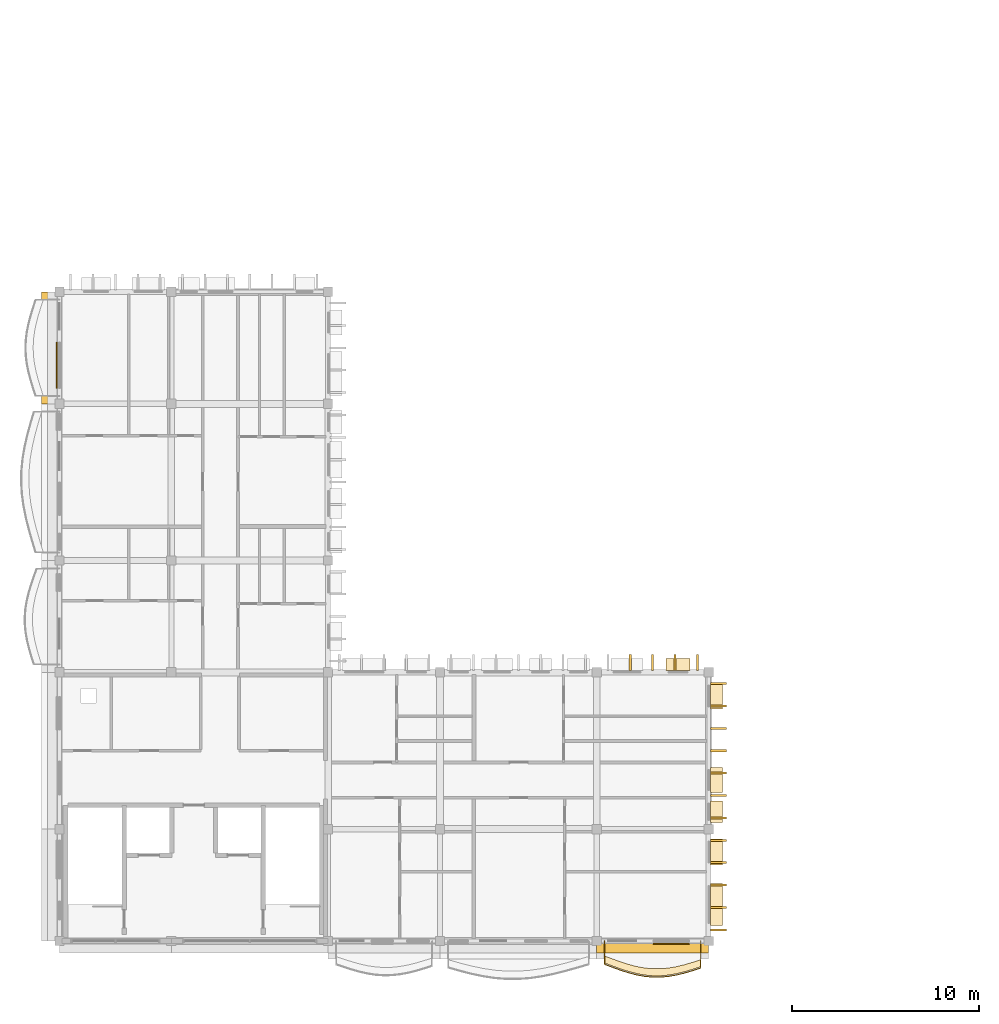
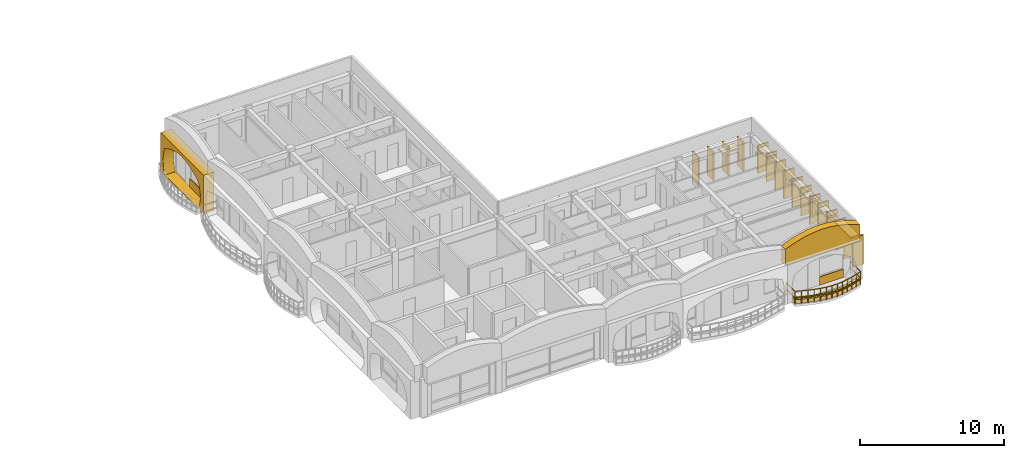
# One storey, part 32 of 45: 27 coverings, 1 railing.
"""IFC4 building model written with IfcOpenShell, lengths in metres."""

from ifc_helpers import new_model, si_unit, direction, frame, origin, origin_2d, place, context, subcontext, project, spatial, polyline, rectangle, outline, extrude, material, layer, layer_set, type_object, element, save


model = new_model("IFC4")

# Units and contexts
model_context = context("Model", 3, precision=1e-05, world=origin(), true_north=direction((0.0, 1.0)))
body_context = subcontext(model_context, "Body", "Model", "MODEL_VIEW")
ifc_project = project(units=[si_unit("LENGTHUNIT", "METRE"), si_unit("AREAUNIT", "SQUARE_METRE"), si_unit("VOLUMEUNIT", "CUBIC_METRE"), si_unit("PLANEANGLEUNIT", "RADIAN"), si_unit("MASSUNIT", "GRAM", prefix="KILO"), si_unit("THERMODYNAMICTEMPERATUREUNIT", "KELVIN")], contexts=[model_context])

# Site, building, storey
site_placement = place(None, origin())
site = spatial("IfcSite", under=ifc_project, at=site_placement, CompositionType="ELEMENT")
building_placement = place(site_placement, origin())
building = spatial("IfcBuilding", under=site, at=building_placement, Name="Thalorik Housing Commons", CompositionType="ELEMENT")
storey_placement = place(building_placement, frame((0.0, 0.0, 34.5)))
storey = spatial("IfcBuildingStorey", under=building, at=storey_placement, Name="L10", CompositionType="ELEMENT", Elevation=34.5)

# Coverings
ifc_material_1 = material(Name="Cobalt blue glazed ceramic facade tile panel", Category="masonry")
ifc_layer_1 = layer(ifc_material_1, 0.06005859375, Name="Cobalt blue glazed ceramic facade tile panel", Category="masonry")
ifc_layer_set_1 = layer_set([ifc_layer_1], Name="Cobalt blue glazed ceramic facade tile panel")
covering_type_1 = type_object("IfcCoveringType", Name="ARC-CLD-BLU-60", PredefinedType="CLADDING", material=ifc_layer_set_1)
covering_1_placement = place(storey_placement, frame((8.257568359375, 39.260009765625, 0.0498046875), z_axis=(0.0, 0.0, 1.0), x_axis=(0.0, -1.0, 0.0)))
element("IfcCovering", 1, at=covering_1_placement, inside=storey, type_object=covering_type_1, Name="L10 De Stijl Recessed Window Spandrel 4458", PredefinedType="CLADDING", context=body_context, shape_type="SweptSolid", body=[
    extrude(rectangle(XDim=2.47998046875, YDim=0.06005859375, at=origin_2d()), origin(), (0.0, 0.0, 1.0), 0.699951171875),
])
covering_2_placement = place(storey_placement, frame((41.18994140625, 8.257568359375, 0.0498046875), z_axis=(0.0, 0.0, 1.0), x_axis=(1.0, 0.0, 0.0)))
element("IfcCovering", 2, at=covering_2_placement, inside=storey, type_object=covering_type_1, Name="L10 De Stijl Recessed Window Spandrel 4472", PredefinedType="CLADDING", context=body_context, shape_type="SweptSolid", body=[
    extrude(rectangle(XDim=1.919921875, YDim=0.06005859375, at=origin_2d()), origin(), (0.0, 0.0, 1.0), 0.699951171875),
])
ifc_material_2 = material(Name="Precast concrete C40/50", Category="concrete")
ifc_layer_2 = layer(ifc_material_2, 0.85009765625, Name="Precast concrete C40/50", Category="concrete")
ifc_layer_set_2 = layer_set([ifc_layer_2], Name="Precast concrete C40/50")
covering_type_2 = type_object("IfcCoveringType", Name="ARC-CLD-CUSH-850", PredefinedType="CLADDING", material=ifc_layer_set_2)
covering_3_placement = place(storey_placement, frame((7.867431640625, 40.199951171875, 0.0), z_axis=(0.0, 0.0, 1.0), x_axis=(0.0, -1.0, 0.0)))
element("IfcCovering", 3, at=covering_3_placement, inside=storey, type_object=covering_type_2, Name="L10 White Precast Curved Cushion Bay Frame 4457", PredefinedType="CLADDING", context=body_context, shape_type="SweptSolid", body=[
    extrude(outline(polyline([(-3.0, 0.0), (3.0, 0.0), (3.0, 3.300048828125), (-3.0, 3.300048828125), (-3.0, 0.0)]), holes=[polyline([(2.22998046875, 0.02490234375), (2.40771484375, 0.40087890625), (2.514404296875, 0.776611328125), (2.550048828125, 1.152587890625), (2.514404296875, 1.5283203125), (2.40771484375, 1.904296875), (2.22998046875, 2.280029296875), (1.841796875, 2.51123046875), (1.453369140625, 2.693115234375), (1.06494140625, 2.840087890625), (0.6767578125, 2.94970703125), (0.288330078125, 3.01708984375), (-0.10009765625, 3.0400390625), (-0.48828125, 3.01708984375), (-0.876708984375, 2.94970703125), (-1.264892578125, 2.840087890625), (-1.6533203125, 2.693115234375), (-2.041748046875, 2.51123046875), (-2.429931640625, 2.280029296875), (-2.55029296875, 1.904296875), (-2.62255859375, 1.5283203125), (-2.646484375, 1.152587890625), (-2.62255859375, 0.776611328125), (-2.55029296875, 0.40087890625), (-2.429931640625, 0.02490234375), (2.22998046875, 0.02490234375)])]), frame((0.0, 0.425048828125, 0.0), z_axis=(0.0, -1.0, 0.0), x_axis=(1.0, 0.0, 0.0)), (0.0, 0.0, 1.0), 0.85009765625),
])
ifc_layer_3 = layer(ifc_material_2, 0.85009765625, Name="Precast concrete C40/50", Category="concrete")
ifc_layer_set_3 = layer_set([ifc_layer_3], Name="Precast concrete C40/50")
covering_type_3 = type_object("IfcCoveringType", Name="ARC-CLD-FIN-850", PredefinedType="CLADDING", material=ifc_layer_set_3)
for number, where, z_axis, x_axis, name in (
    (4, (43.732421875, 9.0, 0.0400390625), (0.0, 0.0, 1.0), (0.0, 1.0, 0.0), "L10 Courtyard Precast Vertical Brise-Soleil Fin 4473"),
    (5, (43.732421875, 10.199951171875, 0.0400390625), (0.0, 0.0, 1.0), (0.0, 1.0, 0.0), "L10 Courtyard Precast Vertical Brise-Soleil Fin 4474"),
    (6, (43.732421875, 11.39990234375, 0.0400390625), (0.0, 0.0, 1.0), (0.0, 1.0, 0.0), "L10 Courtyard Precast Vertical Brise-Soleil Fin 4475"),
    (7, (43.732421875, 12.60009765625, 0.0400390625), (0.0, 0.0, 1.0), (0.0, 1.0, 0.0), "L10 Courtyard Precast Vertical Brise-Soleil Fin 4476"),
    (8, (43.732421875, 13.800048828125, 0.0400390625), (0.0, 0.0, 1.0), (0.0, 1.0, 0.0), "L10 Courtyard Precast Vertical Brise-Soleil Fin 4477"),
):
    element("IfcCovering", number, at=place(storey_placement, frame(where, z_axis=z_axis, x_axis=x_axis)), inside=storey, type_object=covering_type_3, Name=name, PredefinedType="CLADDING", context=body_context, shape_type="SweptSolid", body=[
        extrude(rectangle(XDim=0.110107421875, YDim=0.85009765625, at=origin_2d()), origin(), (0.0, 0.0, 1.0), 2.4951171875),
    ])
for number, where, z_axis, x_axis, name in (
    (9, (43.732421875, 15.0, 0.0400390625), (0.0, 0.0, 1.0), (0.0, 1.0, 0.0), "L10 Courtyard Precast Vertical Brise-Soleil Fin 4480"),
    (10, (43.732421875, 16.199951171875, 0.0400390625), (0.0, 0.0, 1.0), (0.0, 1.0, 0.0), "L10 Courtyard Precast Vertical Brise-Soleil Fin 4481"),
    (11, (43.732421875, 17.39990234375, 0.0400390625), (0.0, 0.0, 1.0), (0.0, 1.0, 0.0), "L10 Courtyard Precast Vertical Brise-Soleil Fin 4482"),
    (12, (43.732421875, 18.60009765625, 0.0400390625), (0.0, 0.0, 1.0), (0.0, 1.0, 0.0), "L10 Courtyard Precast Vertical Brise-Soleil Fin 4483"),
    (13, (43.732421875, 19.800048828125, 0.0400390625), (0.0, 0.0, 1.0), (0.0, 1.0, 0.0), "L10 Courtyard Precast Vertical Brise-Soleil Fin 4484"),
    (14, (43.732421875, 21.0, 0.0400390625), (0.0, 0.0, 1.0), (0.0, 1.0, 0.0), "L10 Courtyard Precast Vertical Brise-Soleil Fin 4485"),
    (15, (43.732421875, 22.199951171875, 0.0400390625), (0.0, 0.0, 1.0), (0.0, 1.0, 0.0), "L10 Courtyard Precast Vertical Brise-Soleil Fin 4486"),
):
    element("IfcCovering", number, at=place(storey_placement, frame(where, z_axis=z_axis, x_axis=x_axis)), inside=storey, type_object=covering_type_3, Name=name, PredefinedType="CLADDING", context=body_context, shape_type="SweptSolid", body=[
        extrude(rectangle(XDim=0.110107421875, YDim=0.85009765625, at=origin_2d()), origin(), (0.0, 0.0, 1.0), 2.344970703125),
    ])
for number, where, z_axis, x_axis, name in (
    (16, (42.60009765625, 23.33251953125, 0.0400390625), (0.0, 0.0, 1.0), (-1.0, 0.0, 0.0), "L10 Courtyard Precast Vertical Brise-Soleil Fin 4490"),
    (17, (41.39990234375, 23.33251953125, 0.0400390625), (0.0, 0.0, 1.0), (-1.0, 0.0, 0.0), "L10 Courtyard Precast Vertical Brise-Soleil Fin 4491"),
    (18, (40.199951171875, 23.33251953125, 0.0400390625), (0.0, 0.0, 1.0), (-1.0, 0.0, 0.0), "L10 Courtyard Precast Vertical Brise-Soleil Fin 4492"),
    (19, (39.0, 23.33251953125, 0.0400390625), (0.0, 0.0, 1.0), (-1.0, 0.0, 0.0), "L10 Courtyard Precast Vertical Brise-Soleil Fin 4493"),
):
    element("IfcCovering", number, at=place(storey_placement, frame(where, z_axis=z_axis, x_axis=x_axis)), inside=storey, type_object=covering_type_3, Name=name, PredefinedType="CLADDING", context=body_context, shape_type="SweptSolid", body=[
        extrude(rectangle(XDim=0.110107421875, YDim=0.85009765625, at=origin_2d()), origin(), (0.0, 0.0, 1.0), 2.445068359375),
    ])
ifc_layer_4 = layer(ifc_material_2, 0.64990234375, Name="Precast concrete C40/50", Category="concrete")
ifc_layer_set_4 = layer_set([ifc_layer_4], Name="Precast concrete C40/50")
covering_type_4 = type_object("IfcCoveringType", Name="ARC-CLD-HOOD-650", PredefinedType="CLADDING", material=ifc_layer_set_4)
covering_4_placement = place(storey_placement, frame((43.632568359375, 10.353759765625, 2.2900390625), z_axis=(0.0, 0.0, 1.0), x_axis=(0.0, 1.0, 0.0)))
element("IfcCovering", 20, at=covering_4_placement, inside=storey, type_object=covering_type_4, Name="L10 Courtyard Precast Window Sun-Hood 4478", PredefinedType="CLADDING", context=body_context, shape_type="SweptSolid", body=[
    extrude(rectangle(XDim=2.239990234375, YDim=0.64990234375, at=origin_2d()), origin(), (0.0, 0.0, 1.0), 0.139892578125),
])
covering_5_placement = place(storey_placement, frame((43.632568359375, 13.163818359375, 2.0400390625), z_axis=(0.0, 0.0, 1.0), x_axis=(0.0, 1.0, 0.0)))
element("IfcCovering", 21, at=covering_5_placement, inside=storey, type_object=covering_type_4, Name="L10 Courtyard Precast Window Sun-Hood 4479", PredefinedType="CLADDING", context=body_context, shape_type="SweptSolid", body=[
    extrude(rectangle(XDim=1.389892578125, YDim=0.64990234375, at=origin_2d()), origin(), (0.0, 0.0, 1.0), 0.139892578125),
])
covering_6_placement = place(storey_placement, frame((43.632568359375, 15.3349609375, 1.990234375), z_axis=(0.0, 0.0, 1.0), x_axis=(0.0, 1.0, 0.0)))
element("IfcCovering", 22, at=covering_6_placement, inside=storey, type_object=covering_type_4, Name="L10 Courtyard Precast Window Sun-Hood 4487", PredefinedType="CLADDING", context=body_context, shape_type="SweptSolid", body=[
    extrude(rectangle(XDim=1.139892578125, YDim=0.64990234375, at=origin_2d()), origin(), (0.0, 0.0, 1.0), 0.139892578125),
])
covering_7_placement = place(storey_placement, frame((43.632568359375, 17.030029296875, 2.08984375), z_axis=(0.0, 0.0, 1.0), x_axis=(0.0, 1.0, 0.0)))
element("IfcCovering", 23, at=covering_7_placement, inside=storey, type_object=covering_type_4, Name="L10 Courtyard Precast Window Sun-Hood 4488", PredefinedType="CLADDING", context=body_context, shape_type="SweptSolid", body=[
    extrude(rectangle(XDim=1.340087890625, YDim=0.64990234375, at=origin_2d()), origin(), (0.0, 0.0, 1.0), 0.139892578125),
])
covering_8_placement = place(storey_placement, frame((43.632568359375, 21.53271484375, 2.0400390625), z_axis=(0.0, 0.0, 1.0), x_axis=(0.0, 1.0, 0.0)))
element("IfcCovering", 24, at=covering_8_placement, inside=storey, type_object=covering_type_4, Name="L10 Courtyard Precast Window Sun-Hood 4489", PredefinedType="CLADDING", context=body_context, shape_type="SweptSolid", body=[
    extrude(rectangle(XDim=1.389892578125, YDim=0.64990234375, at=origin_2d()), origin(), (0.0, 0.0, 1.0), 0.139892578125),
])
covering_9_placement = place(storey_placement, frame((41.570068359375, 23.232421875, 1.990234375), z_axis=(0.0, 0.0, 1.0), x_axis=(-1.0, 0.0, 0.0)))
element("IfcCovering", 25, at=covering_9_placement, inside=storey, type_object=covering_type_4, Name="L10 Courtyard Precast Window Sun-Hood 4495", PredefinedType="CLADDING", context=body_context, shape_type="SweptSolid", body=[
    extrude(rectangle(XDim=1.2900390625, YDim=0.64990234375, at=origin_2d()), origin(), (0.0, 0.0, 1.0), 0.139892578125),
])
ifc_layer_5 = layer(ifc_material_2, 0.550048828125, Name="Precast concrete C40/50", Category="concrete")
ifc_layer_set_5 = layer_set([ifc_layer_5], Name="Precast concrete C40/50")
covering_type_5 = type_object("IfcCoveringType", Name="ARC-CLD-PAR-550", PredefinedType="CLADDING", material=ifc_layer_set_5)
covering_10_placement = place(storey_placement, frame((40.199951171875, 8.04248046875, 3.06005859375), z_axis=(0.0, 0.0, 1.0), x_axis=(1.0, 0.0, 0.0)))
element("IfcCovering", 26, at=covering_10_placement, inside=storey, type_object=covering_type_5, Name="L10 Block C Scalloped White Precast Parapet Crest 4524", PredefinedType="CLADDING", context=body_context, shape_type="SweptSolid", body=[
    extrude(outline(polyline([(-3.0, 0.0), (3.0, 0.0), (3.0, 1.3798828125), (2.5, 1.58154296875), (2.0, 1.744384765625), (1.5, 1.877685546875), (1.0, 1.977294921875), (0.5, 2.0390625), (0.0, 2.06005859375), (-0.5, 2.0390625), (-1.0, 1.977294921875), (-1.5, 1.877685546875), (-2.0, 1.744384765625), (-2.5, 1.58154296875), (-3.0, 1.3798828125), (-3.0, 0.0)])), frame((0.0, 0.27490234375, 0.0), z_axis=(0.0, -1.0, 0.0), x_axis=(1.0, 0.0, 0.0)), (0.0, 0.0, 1.0), 0.550048828125),
])
ifc_material_3 = material(Name="Planted vegetated substrate and terracotta trough", Category="masonry")
ifc_layer_6 = layer(ifc_material_3, 0.340087890625, Name="Planted vegetated substrate and terracotta trough", Category="masonry")
ifc_layer_set_6 = layer_set([ifc_layer_6], Name="Planted vegetated substrate and terracotta trough")
covering_type_6 = type_object("IfcCoveringType", Name="ARC-COV-PLANTER", PredefinedType="USERDEFINED", material=ifc_layer_set_6)
covering_11_placement = place(storey_placement, origin())
element("IfcCovering", 27, at=covering_11_placement, inside=storey, type_object=covering_type_6, Name="L10 Balcony Slab-Edge Planted Trough 5644", ObjectType="PLANTER", PredefinedType="USERDEFINED", context=body_context, shape_type="SweptSolid", body=[
    extrude(outline(polyline([(37.6201171875, 7.2197265625), (38.050048828125, 7.05810546875), (38.47998046875, 6.9033203125), (38.909912109375, 6.765380859375), (39.340087890625, 6.65380859375), (39.77001953125, 6.5751953125), (40.199951171875, 6.534423828125), (40.6298828125, 6.5341796875), (41.06005859375, 6.572998046875), (41.489990234375, 6.648193359375), (41.919921875, 6.75341796875), (42.35009765625, 6.880859375), (42.780029296875, 7.021484375), (42.780029296875, 7.4013671875), (42.35009765625, 7.260986328125), (41.919921875, 7.13330078125), (41.489990234375, 7.028076171875), (41.06005859375, 6.953125), (40.6298828125, 6.9140625), (40.199951171875, 6.91455078125), (39.77001953125, 6.955078125), (39.340087890625, 7.03369140625), (38.909912109375, 7.1455078125), (38.47998046875, 7.283203125), (38.050048828125, 7.438232421875), (37.6201171875, 7.599853515625), (37.6201171875, 7.2197265625)])), origin(), (0.0, 0.0, 1.0), 0.340087890625),
])

# Railing
ifc_material_4 = material(Name="Steel S355", Category="steel")
railing_type = type_object("IfcRailingType", Name="ARC-RL-BAL-112", PredefinedType="BALUSTRADE", material=ifc_material_4)
railing_placement = place(storey_placement, frame((37.6201171875, 8.39990234375, 0.0)))
element("IfcRailing", 28, at=railing_placement, inside=storey, type_object=railing_type, Name="L10 Cushion Balcony Guardrail 328", PredefinedType="BALUSTRADE", context=body_context, shape_type="SweptSolid", body=[
    extrude(rectangle(XDim=0.050048828125, YDim=0.050048828125, at=origin_2d()), frame((0.0, 0.0, 1.09521484375), z_axis=(0.0, -1.0, 0.0), x_axis=(1.0, 0.0, 0.0)), (0.0, 0.0, 1.0), 1.25),
    extrude(rectangle(XDim=0.050048828125, YDim=0.050048828125, at=origin_2d()), frame((0.0, 0.0, 0.53515625), z_axis=(0.0, -1.0, 0.0), x_axis=(1.0, 0.0, 0.0)), (0.0, 0.0, 1.0), 1.25),
    extrude(rectangle(XDim=0.050048828125, YDim=0.050048828125, at=origin_2d()), frame((0.0, -1.25, 1.09521484375), z_axis=(0.936044897025, -0.351880591613, 0.0), x_axis=(0.351880591613, 0.936044897025, 0.0)), (0.0, 0.0, 1.0), 0.459228515625),
    extrude(rectangle(XDim=0.050048828125, YDim=0.050048828125, at=origin_2d()), frame((0.0, -1.25, 0.53515625), z_axis=(0.936044897025, -0.351880591613, 0.0), x_axis=(0.351880591613, 0.936044897025, 0.0)), (0.0, 0.0, 1.0), 0.459228515625),
    extrude(rectangle(XDim=0.050048828125, YDim=0.050048828125, at=origin_2d()), frame((0.429931640625, -1.41162109375, 1.09521484375), z_axis=(0.940710228543, -0.339211240843, 0.0), x_axis=(0.339211240843, 0.940710228543, 0.0)), (0.0, 0.0, 1.0), 0.45703125),
    extrude(rectangle(XDim=0.050048828125, YDim=0.050048828125, at=origin_2d()), frame((0.429931640625, -1.41162109375, 0.53515625), z_axis=(0.940710228543, -0.339211240843, 0.0), x_axis=(0.339211240843, 0.940710228543, 0.0)), (0.0, 0.0, 1.0), 0.45703125),
    extrude(rectangle(XDim=0.050048828125, YDim=0.050048828125, at=origin_2d()), frame((0.85986328125, -1.566650390625, 1.09521484375), z_axis=(0.95219157684, -0.305501556453, 0.0), x_axis=(0.305501556453, 0.95219157684, 0.0)), (0.0, 0.0, 1.0), 0.451416015625),
    extrude(rectangle(XDim=0.050048828125, YDim=0.050048828125, at=origin_2d()), frame((0.85986328125, -1.566650390625, 0.53515625), z_axis=(0.95219157684, -0.305501556453, 0.0), x_axis=(0.305501556453, 0.95219157684, 0.0)), (0.0, 0.0, 1.0), 0.451416015625),
    extrude(rectangle(XDim=0.050048828125, YDim=0.050048828125, at=origin_2d()), frame((1.289794921875, -1.70458984375, 1.09521484375), z_axis=(0.967972179337, -0.251057483517, 0.0), x_axis=(0.251057483517, 0.967972179337, 0.0)), (0.0, 0.0, 1.0), 0.4443359375),
    extrude(rectangle(XDim=0.050048828125, YDim=0.050048828125, at=origin_2d()), frame((1.289794921875, -1.70458984375, 0.53515625), z_axis=(0.967972179337, -0.251057483517, 0.0), x_axis=(0.251057483517, 0.967972179337, 0.0)), (0.0, 0.0, 1.0), 0.4443359375),
    extrude(rectangle(XDim=0.050048828125, YDim=0.050048828125, at=origin_2d()), frame((1.719970703125, -1.816162109375, 1.09521484375), z_axis=(0.983690667617, -0.179868480961, 0.0), x_axis=(0.179868480961, 0.983690667617, 0.0)), (0.0, 0.0, 1.0), 0.43701171875),
    extrude(rectangle(XDim=0.050048828125, YDim=0.050048828125, at=origin_2d()), frame((1.719970703125, -1.816162109375, 0.53515625), z_axis=(0.983690667617, -0.179868480961, 0.0), x_axis=(0.179868480961, 0.983690667617, 0.0)), (0.0, 0.0, 1.0), 0.43701171875),
    extrude(rectangle(XDim=0.050048828125, YDim=0.050048828125, at=origin_2d()), frame((2.14990234375, -1.894775390625, 1.09521484375), z_axis=(0.995586482092, -0.093848583775, 0.0), x_axis=(0.093848583775, 0.995586482092, 0.0)), (0.0, 0.0, 1.0), 0.431884765625),
    extrude(rectangle(XDim=0.050048828125, YDim=0.050048828125, at=origin_2d()), frame((2.14990234375, -1.894775390625, 0.53515625), z_axis=(0.995586482092, -0.093848583775, 0.0), x_axis=(0.093848583775, 0.995586482092, 0.0)), (0.0, 0.0, 1.0), 0.431884765625),
    extrude(rectangle(XDim=0.050048828125, YDim=0.050048828125, at=origin_2d()), frame((2.579833984375, -1.935302734375, 1.09521484375), z_axis=(0.999999355073, -0.001135717609, 0.0), x_axis=(0.001135717609, 0.999999355073, 0.0)), (0.0, 0.0, 1.0), 0.429931640625),
    extrude(rectangle(XDim=0.050048828125, YDim=0.050048828125, at=origin_2d()), frame((2.579833984375, -1.935302734375, 0.53515625), z_axis=(0.999999355073, -0.001135717609, 0.0), x_axis=(0.001135717609, 0.999999355073, 0.0)), (0.0, 0.0, 1.0), 0.429931640625),
    extrude(rectangle(XDim=0.050048828125, YDim=0.050048828125, at=origin_2d()), frame((3.009765625, -1.935791015625, 1.09521484375), z_axis=(0.995902467013, 0.090433822203, 0.0), x_axis=(-0.090433822203, 0.995902467013, 0.0)), (0.0, 0.0, 1.0), 0.431884765625),
    extrude(rectangle(XDim=0.050048828125, YDim=0.050048828125, at=origin_2d()), frame((3.009765625, -1.935791015625, 0.53515625), z_axis=(0.995902467013, 0.090433822203, 0.0), x_axis=(-0.090433822203, 0.995902467013, 0.0)), (0.0, 0.0, 1.0), 0.431884765625),
    extrude(rectangle(XDim=0.050048828125, YDim=0.050048828125, at=origin_2d()), frame((3.43994140625, -1.896728515625, 1.09521484375), z_axis=(0.985141873648, 0.171742507217, 0.0), x_axis=(-0.171742507217, 0.985141873648, 0.0)), (0.0, 0.0, 1.0), 0.4365234375),
    extrude(rectangle(XDim=0.050048828125, YDim=0.050048828125, at=origin_2d()), frame((3.43994140625, -1.896728515625, 0.53515625), z_axis=(0.985141873648, 0.171742507217, 0.0), x_axis=(-0.171742507217, 0.985141873648, 0.0)), (0.0, 0.0, 1.0), 0.4365234375),
    extrude(rectangle(XDim=0.050048828125, YDim=0.050048828125, at=origin_2d()), frame((3.869873046875, -1.82177734375, 1.09521484375), z_axis=(0.971331111788, 0.237730669609, 0.0), x_axis=(-0.237730669609, 0.971331111788, 0.0)), (0.0, 0.0, 1.0), 0.442626953125),
    extrude(rectangle(XDim=0.050048828125, YDim=0.050048828125, at=origin_2d()), frame((3.869873046875, -1.82177734375, 0.53515625), z_axis=(0.971331111788, 0.237730669609, 0.0), x_axis=(-0.237730669609, 0.971331111788, 0.0)), (0.0, 0.0, 1.0), 0.442626953125),
    extrude(rectangle(XDim=0.050048828125, YDim=0.050048828125, at=origin_2d()), frame((4.2998046875, -1.716552734375, 1.09521484375), z_axis=(0.958809091251, 0.28405127448, 0.0), x_axis=(-0.28405127448, 0.958809091251, 0.0)), (0.0, 0.0, 1.0), 0.44873046875),
    extrude(rectangle(XDim=0.050048828125, YDim=0.050048828125, at=origin_2d()), frame((4.2998046875, -1.716552734375, 0.53515625), z_axis=(0.958809091251, 0.28405127448, 0.0), x_axis=(-0.28405127448, 0.958809091251, 0.0)), (0.0, 0.0, 1.0), 0.44873046875),
    extrude(rectangle(XDim=0.050048828125, YDim=0.050048828125, at=origin_2d()), frame((4.72998046875, -1.589111328125, 1.09521484375), z_axis=(0.950449331157, 0.310879508658, 0.0), x_axis=(-0.310879508658, 0.950449331157, 0.0)), (0.0, 0.0, 1.0), 0.452392578125),
    extrude(rectangle(XDim=0.050048828125, YDim=0.050048828125, at=origin_2d()), frame((4.72998046875, -1.589111328125, 0.53515625), z_axis=(0.950449331157, 0.310879508658, 0.0), x_axis=(-0.310879508658, 0.950449331157, 0.0)), (0.0, 0.0, 1.0), 0.452392578125),
    extrude(rectangle(XDim=0.050048828125, YDim=0.050048828125, at=origin_2d()), frame((5.159912109375, -1.448486328125, 1.09521484375), z_axis=(0.0, 1.0, 0.0), x_axis=(-1.0, 0.0, 0.0)), (0.0, 0.0, 1.0), 1.448486328125),
    extrude(rectangle(XDim=0.050048828125, YDim=0.050048828125, at=origin_2d()), frame((5.159912109375, -1.448486328125, 0.53515625), z_axis=(0.0, 1.0, 0.0), x_axis=(-1.0, 0.0, 0.0)), (0.0, 0.0, 1.0), 1.448486328125),
    extrude(rectangle(XDim=0.0419921875, YDim=0.0419921875, at=origin_2d()), origin(), (0.0, 0.0, 1.0), 1.070068359375),
    extrude(rectangle(XDim=0.0419921875, YDim=0.0419921875, at=origin_2d()), frame((0.0, -1.25, 0.0)), (0.0, 0.0, 1.0), 1.070068359375),
    extrude(rectangle(XDim=0.0419921875, YDim=0.0419921875, at=origin_2d()), frame((0.429931640625, -1.41162109375, 0.0)), (0.0, 0.0, 1.0), 1.070068359375),
    extrude(rectangle(XDim=0.0419921875, YDim=0.0419921875, at=origin_2d()), frame((0.85986328125, -1.566650390625, 0.0)), (0.0, 0.0, 1.0), 1.070068359375),
    extrude(rectangle(XDim=0.0419921875, YDim=0.0419921875, at=origin_2d()), frame((1.289794921875, -1.70458984375, 0.0)), (0.0, 0.0, 1.0), 1.070068359375),
    extrude(rectangle(XDim=0.0419921875, YDim=0.0419921875, at=origin_2d()), frame((1.719970703125, -1.816162109375, 0.0)), (0.0, 0.0, 1.0), 1.070068359375),
    extrude(rectangle(XDim=0.0419921875, YDim=0.0419921875, at=origin_2d()), frame((2.14990234375, -1.894775390625, 0.0)), (0.0, 0.0, 1.0), 1.070068359375),
    extrude(rectangle(XDim=0.0419921875, YDim=0.0419921875, at=origin_2d()), frame((2.579833984375, -1.935302734375, 0.0)), (0.0, 0.0, 1.0), 1.070068359375),
    extrude(rectangle(XDim=0.0419921875, YDim=0.0419921875, at=origin_2d()), frame((3.009765625, -1.935791015625, 0.0)), (0.0, 0.0, 1.0), 1.070068359375),
    extrude(rectangle(XDim=0.0419921875, YDim=0.0419921875, at=origin_2d()), frame((3.43994140625, -1.896728515625, 0.0)), (0.0, 0.0, 1.0), 1.070068359375),
    extrude(rectangle(XDim=0.0419921875, YDim=0.0419921875, at=origin_2d()), frame((3.869873046875, -1.82177734375, 0.0)), (0.0, 0.0, 1.0), 1.070068359375),
    extrude(rectangle(XDim=0.0419921875, YDim=0.0419921875, at=origin_2d()), frame((4.2998046875, -1.716552734375, 0.0)), (0.0, 0.0, 1.0), 1.070068359375),
    extrude(rectangle(XDim=0.0419921875, YDim=0.0419921875, at=origin_2d()), frame((4.72998046875, -1.589111328125, 0.0)), (0.0, 0.0, 1.0), 1.070068359375),
    extrude(rectangle(XDim=0.0419921875, YDim=0.0419921875, at=origin_2d()), frame((5.159912109375, -1.448486328125, 0.0)), (0.0, 0.0, 1.0), 1.070068359375),
    extrude(rectangle(XDim=0.0419921875, YDim=0.0419921875, at=origin_2d()), frame((5.159912109375, 0.0, 0.0)), (0.0, 0.0, 1.0), 1.070068359375),
])

save(model, "model.ifc")
